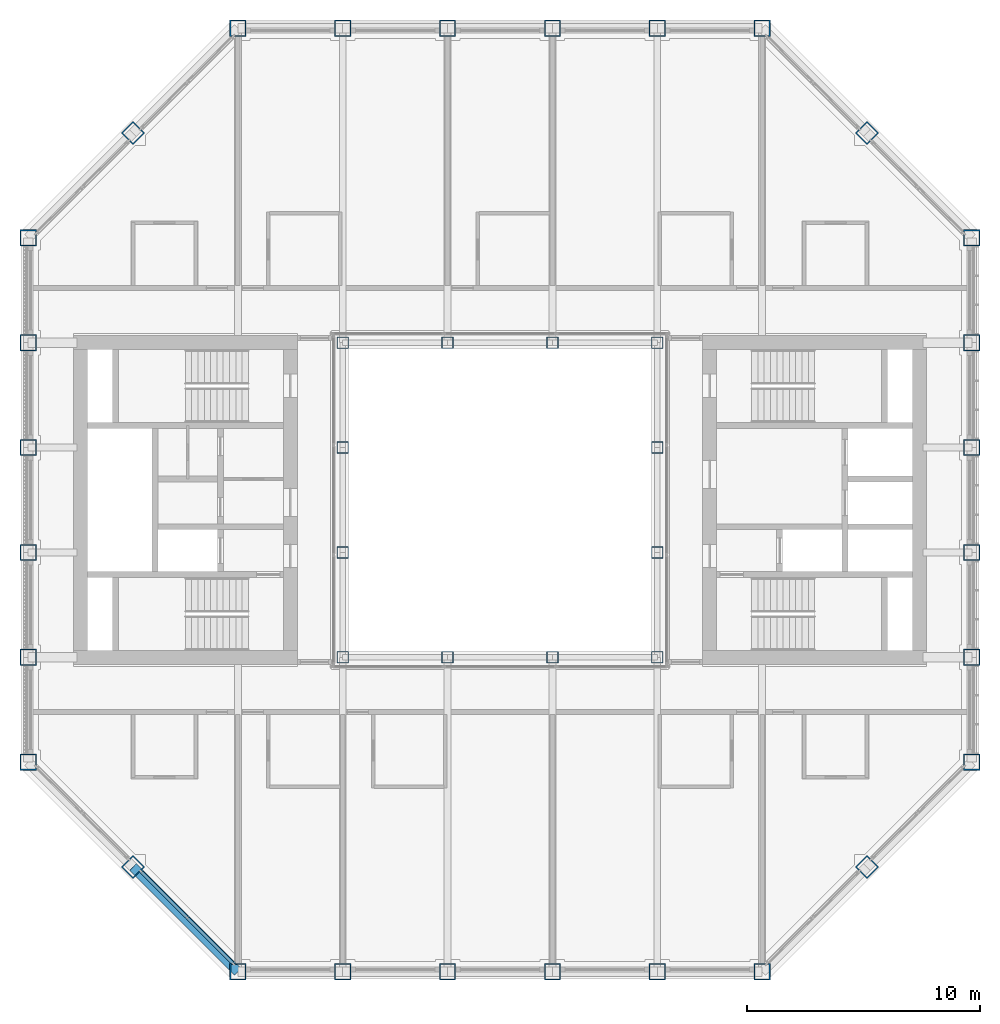
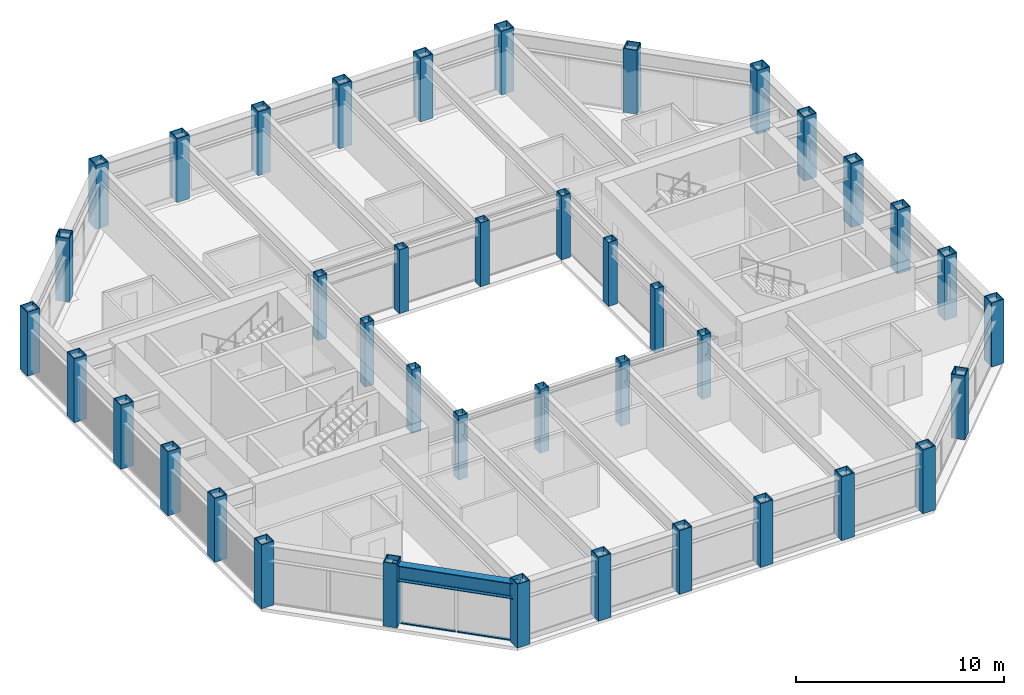
# One storey, part 1 of 16: 40 columns, 4 members, 1 beam, 1 element without a shape of its own.
"""IFC4 building model written with IfcOpenShell, lengths in metres."""

from ifc_helpers import new_model, si_unit, direction, frame, origin, origin_2d, place, context, subcontext, project, spatial, rectangle, hollow_rectangle, i_section, extrude, material, material_profile, profile_set, type_object, element, aggregate, save


model = new_model("IFC4")

# Units and contexts
model_context = context("Model", 3, precision=1e-05, world=origin(), true_north=direction((0.0, 1.0)))
body_context = subcontext(model_context, "Body", "Model", "MODEL_VIEW")
ifc_project = project(units=[si_unit("LENGTHUNIT", "METRE"), si_unit("AREAUNIT", "SQUARE_METRE"), si_unit("VOLUMEUNIT", "CUBIC_METRE"), si_unit("PLANEANGLEUNIT", "RADIAN"), si_unit("MASSUNIT", "GRAM", prefix="KILO")], contexts=[model_context])

# Site, building, storey
site_placement = place(None, origin())
site = spatial("IfcSite", under=ifc_project, at=site_placement, CompositionType="ELEMENT")
building_placement = place(site_placement, origin())
building = spatial("IfcBuilding", under=site, at=building_placement, Name="Msasa Ring Tower", CompositionType="ELEMENT")
storey_placement = place(building_placement, frame((0.0, 0.0, 219.550048828125)))
storey = spatial("IfcBuildingStorey", under=building, at=storey_placement, Name="L57", CompositionType="ELEMENT", Elevation=219.550048828125)

# Columns
ifc_material_1 = material(Name="Steel S355", Category="steel")
ifc_material_profile_1 = material_profile(ifc_material_1, hollow_rectangle(XDim=0.5, YDim=0.5, WallThickness=0.030029296875, at=origin_2d()), Name="BOX 500x500x30")
ifc_profile_set_1 = profile_set([ifc_material_profile_1], Name="Steel S355")
column_type_1 = type_object("IfcColumnType", Name="IC6 BOX 500x500x30", PredefinedType="COLUMN", material=ifc_profile_set_1)
for number, where, z_axis, x_axis, name in (
    (1, (-6.75, -6.75, 0.0), (0.0, 0.0, 1.0), (1.0, 0.0, 0.0), "Inner ring column IR-6.75-6.75 L57"),
    (2, (-6.75, -2.25, 0.0), (0.0, 0.0, 1.0), (1.0, 0.0, 0.0), "Inner ring column IR-6.75-2.25 L57"),
    (3, (-6.75, 2.25, 0.0), (0.0, 0.0, 1.0), (1.0, 0.0, 0.0), "Inner ring column IR-6.75+2.25 L57"),
    (4, (-6.75, 6.75, 0.0), (0.0, 0.0, 1.0), (1.0, 0.0, 0.0), "Inner ring column IR-6.75+6.75 L57"),
    (5, (-2.25, -6.75, 0.0), (0.0, 0.0, 1.0), (1.0, 0.0, 0.0), "Inner ring column IR-2.25-6.75 L57"),
    (6, (-2.25, 6.75, 0.0), (0.0, 0.0, 1.0), (1.0, 0.0, 0.0), "Inner ring column IR-2.25+6.75 L57"),
    (7, (2.25, -6.75, 0.0), (0.0, 0.0, 1.0), (1.0, 0.0, 0.0), "Inner ring column IR+2.25-6.75 L57"),
    (8, (2.25, 6.75, 0.0), (0.0, 0.0, 1.0), (1.0, 0.0, 0.0), "Inner ring column IR+2.25+6.75 L57"),
    (9, (6.75, -6.75, 0.0), (0.0, 0.0, 1.0), (1.0, 0.0, 0.0), "Inner ring column IR+6.75-6.75 L57"),
    (10, (6.75, -2.25, 0.0), (0.0, 0.0, 1.0), (1.0, 0.0, 0.0), "Inner ring column IR+6.75-2.25 L57"),
    (11, (6.75, 2.25, 0.0), (0.0, 0.0, 1.0), (1.0, 0.0, 0.0), "Inner ring column IR+6.75+2.25 L57"),
    (12, (6.75, 6.75, 0.0), (0.0, 0.0, 1.0), (1.0, 0.0, 0.0), "Inner ring column IR+6.75+6.75 L57"),
):
    element("IfcColumn", number, at=place(storey_placement, frame(where, z_axis=z_axis, x_axis=x_axis)), inside=storey, type_object=column_type_1, Name=name, PredefinedType="COLUMN", context=body_context, shape_type="SweptSolid", body=[
        extrude(hollow_rectangle(XDim=0.5, YDim=0.5, WallThickness=0.030029296875, at=origin_2d()), origin(), (0.0, 0.0, 1.0), 3.75),
    ])
ifc_material_2 = material(Name="Steel S355", Category="steel")
ifc_material_profile_2 = material_profile(ifc_material_2, hollow_rectangle(XDim=0.699951171875, YDim=0.699951171875, WallThickness=0.044921875, at=origin_2d()), Name="BOX 700x700x45")
ifc_profile_set_2 = profile_set([ifc_material_profile_2], Name="Steel S355")
column_type_2 = type_object("IfcColumnType", Name="TC6 BOX 700x700x45", PredefinedType="COLUMN", material=ifc_profile_set_2)
for number, where, z_axis, x_axis, name in (
    (13, (-11.25, -20.25, 0.0), (0.0, 0.0, 1.0), (0.0, 1.0, 0.0), "Tube column S-11.25 L57"),
    (14, (-11.25, 20.25, 0.0), (0.0, 0.0, 1.0), (0.0, 1.0, 0.0), "Tube column N-11.25 L57"),
    (15, (20.25, -11.25, 0.0), (0.0, 0.0, 1.0), (1.0, 0.0, 0.0), "Tube column E-11.25 L57"),
    (16, (-20.25, -11.25, 0.0), (0.0, 0.0, 1.0), (1.0, 0.0, 0.0), "Tube column W-11.25 L57"),
    (17, (-6.75, -20.25, 0.0), (0.0, 0.0, 1.0), (0.0, 1.0, 0.0), "Tube column S-6.75 L57"),
    (18, (-6.75, 20.25, 0.0), (0.0, 0.0, 1.0), (0.0, 1.0, 0.0), "Tube column N-6.75 L57"),
    (19, (20.25, -6.75, 0.0), (0.0, 0.0, 1.0), (1.0, 0.0, 0.0), "Tube column E-6.75 L57"),
    (20, (-20.25, -6.75, 0.0), (0.0, 0.0, 1.0), (1.0, 0.0, 0.0), "Tube column W-6.75 L57"),
    (21, (-2.25, -20.25, 0.0), (0.0, 0.0, 1.0), (0.0, 1.0, 0.0), "Tube column S-2.25 L57"),
    (22, (-2.25, 20.25, 0.0), (0.0, 0.0, 1.0), (0.0, 1.0, 0.0), "Tube column N-2.25 L57"),
    (23, (20.25, -2.25, 0.0), (0.0, 0.0, 1.0), (1.0, 0.0, 0.0), "Tube column E-2.25 L57"),
    (24, (-20.25, -2.25, 0.0), (0.0, 0.0, 1.0), (1.0, 0.0, 0.0), "Tube column W-2.25 L57"),
    (25, (2.25, -20.25, 0.0), (0.0, 0.0, 1.0), (0.0, 1.0, 0.0), "Tube column S+2.25 L57"),
    (26, (2.25, 20.25, 0.0), (0.0, 0.0, 1.0), (0.0, 1.0, 0.0), "Tube column N+2.25 L57"),
    (27, (20.25, 2.25, 0.0), (0.0, 0.0, 1.0), (1.0, 0.0, 0.0), "Tube column E+2.25 L57"),
    (28, (-20.25, 2.25, 0.0), (0.0, 0.0, 1.0), (1.0, 0.0, 0.0), "Tube column W+2.25 L57"),
    (29, (6.75, -20.25, 0.0), (0.0, 0.0, 1.0), (0.0, 1.0, 0.0), "Tube column S+6.75 L57"),
    (30, (6.75, 20.25, 0.0), (0.0, 0.0, 1.0), (0.0, 1.0, 0.0), "Tube column N+6.75 L57"),
    (31, (20.25, 6.75, 0.0), (0.0, 0.0, 1.0), (1.0, 0.0, 0.0), "Tube column E+6.75 L57"),
    (32, (-20.25, 6.75, 0.0), (0.0, 0.0, 1.0), (1.0, 0.0, 0.0), "Tube column W+6.75 L57"),
    (33, (11.25, -20.25, 0.0), (0.0, 0.0, 1.0), (0.0, 1.0, 0.0), "Tube column S+11.25 L57"),
    (34, (11.25, 20.25, 0.0), (0.0, 0.0, 1.0), (0.0, 1.0, 0.0), "Tube column N+11.25 L57"),
    (35, (20.25, 11.25, 0.0), (0.0, 0.0, 1.0), (1.0, 0.0, 0.0), "Tube column E+11.25 L57"),
    (36, (-20.25, 11.25, 0.0), (0.0, 0.0, 1.0), (1.0, 0.0, 0.0), "Tube column W+11.25 L57"),
    (37, (15.75, -15.75, 0.0), (0.0, 0.0, 1.0), (0.707106781187, -0.707106781187, 0.0), "Tube column SE L57"),
    (38, (15.75, 15.75, 0.0), (0.0, 0.0, 1.0), (0.707106781187, 0.707106781187, 0.0), "Tube column NE L57"),
    (39, (-15.75, 15.75, 0.0), (0.0, 0.0, 1.0), (0.707106781187, -0.707106781187, 0.0), "Tube column NW L57"),
    (40, (-15.75, -15.75, 0.0), (0.0, 0.0, 1.0), (0.707106781187, 0.707106781187, 0.0), "Tube column SW L57"),
):
    element("IfcColumn", number, at=place(storey_placement, frame(where, z_axis=z_axis, x_axis=x_axis)), inside=storey, type_object=column_type_2, Name=name, PredefinedType="COLUMN", context=body_context, shape_type="SweptSolid", body=[
        extrude(hollow_rectangle(XDim=0.699951171875, YDim=0.699951171875, WallThickness=0.044921875, at=origin_2d()), origin(), (0.0, 0.0, 1.0), 3.75),
    ])

# Curtain wall, members
ifc_material_3 = material(Name="Aluminium curtain wall with clear glass", Category="aluminium")
curtain_wall_type = type_object("IfcCurtainWallType", Name="CW-C CHAMFER CORNER CURTAIN WALL", PredefinedType="NOTDEFINED", material=ifc_material_3)
curtain_wall_placement = place(storey_placement, origin())
curtain_wall = element("IfcCurtainWall", 41, at=curtain_wall_placement, inside=storey, type_object=curtain_wall_type, Name="Chamfer corner curtain wall SW L57", PredefinedType="NOTDEFINED")
ifc_material_4 = material(Name="Aluminium transom", Category="aluminium")
ifc_material_profile_3 = material_profile(ifc_material_4, rectangle(XDim=0.139892578125, YDim=0.06494140625, at=origin_2d()), Name="AL 65x140")
ifc_profile_set_3 = profile_set([ifc_material_profile_3], Name="Aluminium transom")
member_type = type_object("IfcMemberType", Name="CW-C TRANSOM 65x140", PredefinedType="USERDEFINED", material=ifc_profile_set_3)
member_1_placement = place(storey_placement, frame((-15.38232421875, -15.976318359375, 0.032470703125), z_axis=(0.707106781187, -0.707106781187, 0.0), x_axis=(0.707106781187, 0.707106781187, 0.0)))
member_1 = element("IfcMember", 42, at=member_1_placement, type_object=member_type, Name="CW-C transom 1.1", ObjectType="TRANSOM", PredefinedType="USERDEFINED", context=body_context, shape_type="SweptSolid", body=[
    extrude(rectangle(XDim=0.139892578125, YDim=0.06494140625, at=origin_2d()), origin(), (0.0, 0.0, 1.0), 2.729248046875),
])
member_2_placement = place(storey_placement, frame((-15.38232421875, -15.976318359375, 2.596435546875), z_axis=(0.707106781187, -0.707106781187, 0.0), x_axis=(0.707106781187, 0.707106781187, 0.0)))
member_2 = element("IfcMember", 43, at=member_2_placement, type_object=member_type, Name="CW-C transom 1.2", ObjectType="TRANSOM", PredefinedType="USERDEFINED", context=body_context, shape_type="SweptSolid", body=[
    extrude(rectangle(XDim=0.139892578125, YDim=0.06494140625, at=origin_2d()), origin(), (0.0, 0.0, 1.0), 2.729248046875),
])
member_3_placement = place(storey_placement, frame((-13.40625, -17.952392578125, 0.032470703125), z_axis=(0.707106781187, -0.707106781187, 0.0), x_axis=(0.707106781187, 0.707106781187, 0.0)))
member_3 = element("IfcMember", 44, at=member_3_placement, type_object=member_type, Name="CW-C transom 2.1", ObjectType="TRANSOM", PredefinedType="USERDEFINED", context=body_context, shape_type="SweptSolid", body=[
    extrude(rectangle(XDim=0.139892578125, YDim=0.06494140625, at=origin_2d()), origin(), (0.0, 0.0, 1.0), 2.729248046875),
])
member_4_placement = place(storey_placement, frame((-13.40625, -17.952392578125, 2.596435546875), z_axis=(0.707106781187, -0.707106781187, 0.0), x_axis=(0.707106781187, 0.707106781187, 0.0)))
member_4 = element("IfcMember", 45, at=member_4_placement, type_object=member_type, Name="CW-C transom 2.2", ObjectType="TRANSOM", PredefinedType="USERDEFINED", context=body_context, shape_type="SweptSolid", body=[
    extrude(rectangle(XDim=0.139892578125, YDim=0.06494140625, at=origin_2d()), origin(), (0.0, 0.0, 1.0), 2.729248046875),
])
aggregate(curtain_wall, [member_1, member_2, member_3, member_4])

# Beam
ifc_material_5 = material(Name="Steel S355", Category="steel")
ifc_material_profile_4 = material_profile(ifc_material_5, i_section(OverallWidth=0.42041015625, OverallDepth=0.9208984375, WebThickness=0.021484375, FlangeThickness=0.03662109375, FilletRadius=0.024169921875, at=origin_2d()), Name="UB 914x419x388")
ifc_profile_set_4 = profile_set([ifc_material_profile_4], Name="Steel S355")
beam_type = type_object("IfcBeamType", Name="SB1 UB 914x419x388", PredefinedType="SPANDREL", material=ifc_profile_set_4)
beam_placement = place(storey_placement, frame((-15.75, -15.75, 3.08935546875), z_axis=(0.707106781187, -0.707106781187, 0.0), x_axis=(0.707106781187, 0.707106781187, 0.0)))
element("IfcBeam", 46, at=beam_placement, inside=storey, type_object=beam_type, Name="Spandrel SW to S-11.25 under L58", PredefinedType="SPANDREL", context=body_context, shape_type="SweptSolid", body=[
    extrude(i_section(OverallWidth=0.42041015625, OverallDepth=0.9208984375, WebThickness=0.021484375, FlangeThickness=0.03662109375, FilletRadius=0.024169921875, at=origin_2d()), origin(), (0.0, 0.0, 1.0), 6.364013671875),
])

save(model, "model.ifc")
